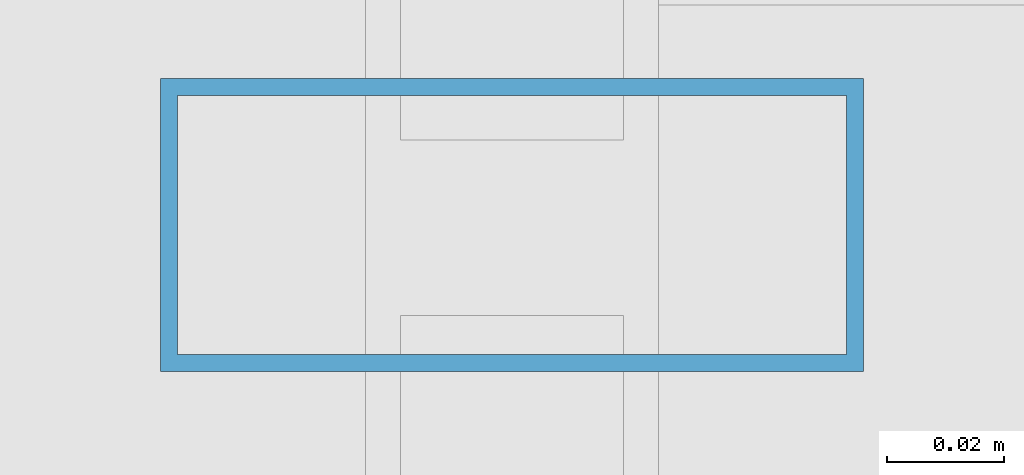
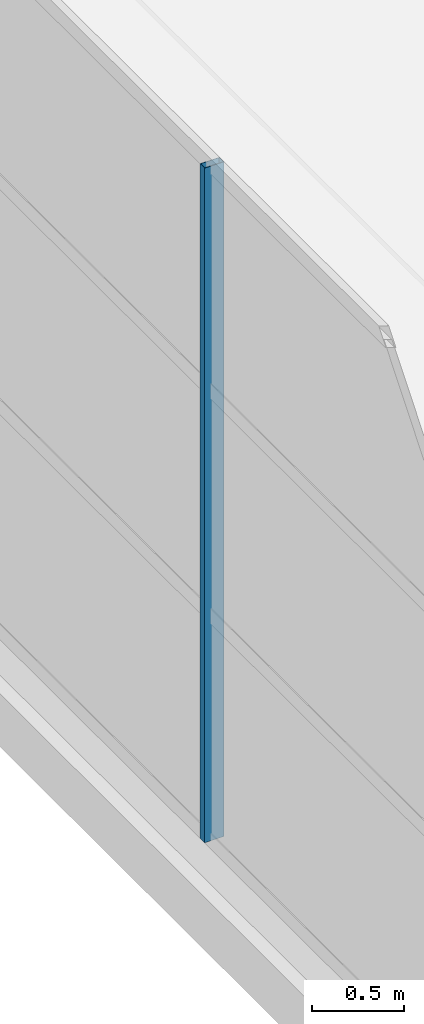
# One storey, part 35 of 112: 1 member, 1 element without a shape of its own.
"""IFC4 building model written with IfcOpenShell, lengths in metres."""

from ifc_helpers import new_model, si_unit, direction, frame, origin, origin_2d, place, context, subcontext, project, spatial, hollow_rectangle, extrude, material, material_profile, profile_set, type_object, element, aggregate, save


model = new_model("IFC4")

# Units and contexts
model_context = context("Model", 3, precision=1e-05, world=origin(), true_north=direction((0.0, 1.0)))
body_context = subcontext(model_context, "Body", "Model", "MODEL_VIEW")
ifc_project = project(units=[si_unit("LENGTHUNIT", "METRE"), si_unit("AREAUNIT", "SQUARE_METRE"), si_unit("VOLUMEUNIT", "CUBIC_METRE"), si_unit("PLANEANGLEUNIT", "RADIAN"), si_unit("MASSUNIT", "GRAM", prefix="KILO")], contexts=[model_context])

# Site, building, storey
site_placement = place(None, origin())
site = spatial("IfcSite", under=ifc_project, at=site_placement, CompositionType="ELEMENT")
building_placement = place(site_placement, origin())
building = spatial("IfcBuilding", under=site, at=building_placement, Name="Solvikara Media Centre", CompositionType="ELEMENT")
storey_placement = place(building_placement, frame((0.0, 0.0, 5.39990234375)))
storey = spatial("IfcBuildingStorey", under=building, at=storey_placement, Name="L01", CompositionType="ELEMENT", Elevation=5.39990234375)

# Curtain wall, member
ifc_material = material(Name="Anodised aluminium EN AW-6063", Category="aluminium")
curtain_wall_type = type_object("IfcCurtainWallType", Name="CW-12", PredefinedType="NOTDEFINED", material=ifc_material)
curtain_wall_placement = place(storey_placement, origin())
curtain_wall = element("IfcCurtainWall", 1, at=curtain_wall_placement, inside=storey, type_object=curtain_wall_type, Name="CW-L01-V2W-S1", PredefinedType="NOTDEFINED")
ifc_material_profile = material_profile(ifc_material, hollow_rectangle(XDim=0.050048828125, YDim=0.1201171875, WallThickness=0.0029296875, at=origin_2d()), Name="ALU-M 50x120x3")
ifc_profile_set = profile_set([ifc_material_profile], Name="Anodised aluminium EN AW-6063")
member_type = type_object("IfcMemberType", Name="MF-06", PredefinedType="MULLION", material=ifc_profile_set)
member_placement = place(storey_placement, frame((127.5, 52.77490234375, 0.02001953125), z_axis=(0.0, 0.0, 1.0), x_axis=(0.0, 1.0, 0.0)))
member = element("IfcMember", 2, at=member_placement, type_object=member_type, Name="CW-L01-V2W-S1-M01", PredefinedType="MULLION", context=body_context, shape_type="SweptSolid", body=[
    extrude(hollow_rectangle(XDim=0.050048828125, YDim=0.1201171875, WallThickness=0.0029296875, at=origin_2d()), origin(), (0.0, 0.0, 1.0), 4.4599609375),
])
aggregate(curtain_wall, [member])

save(model, "model.ifc")
